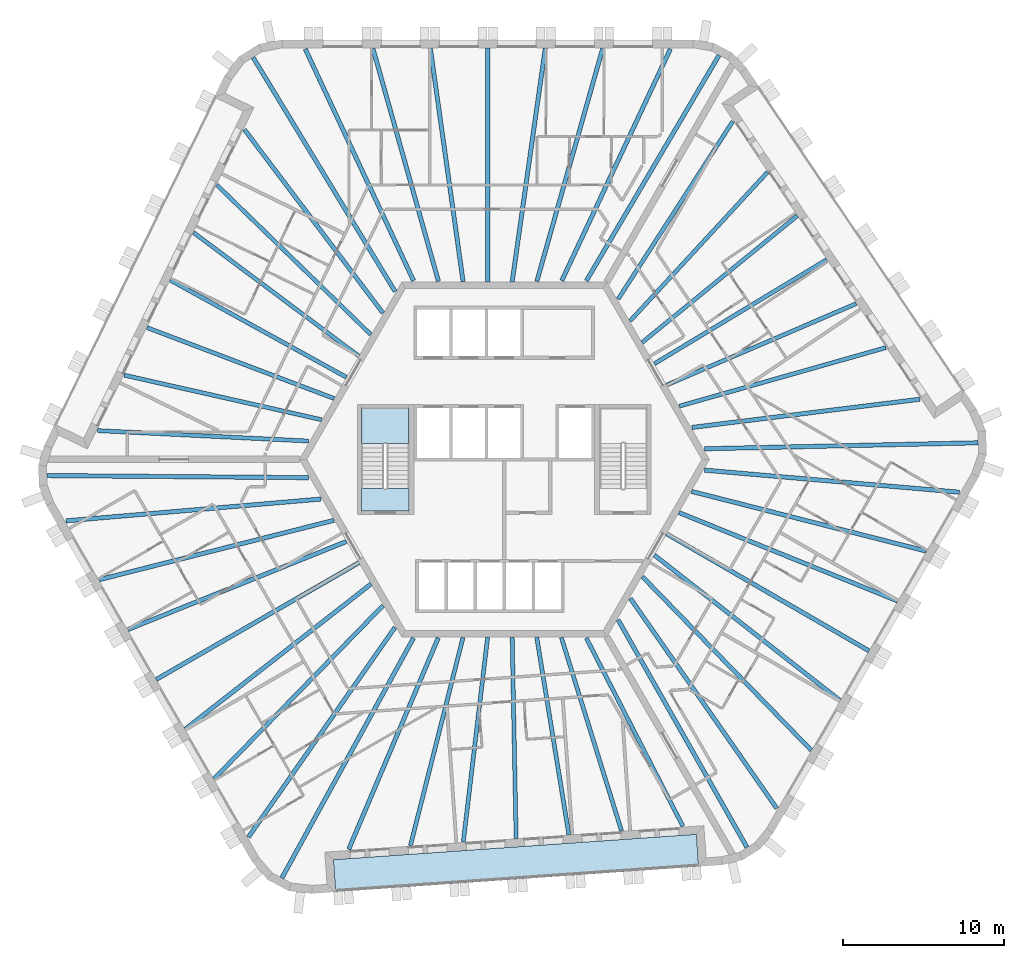
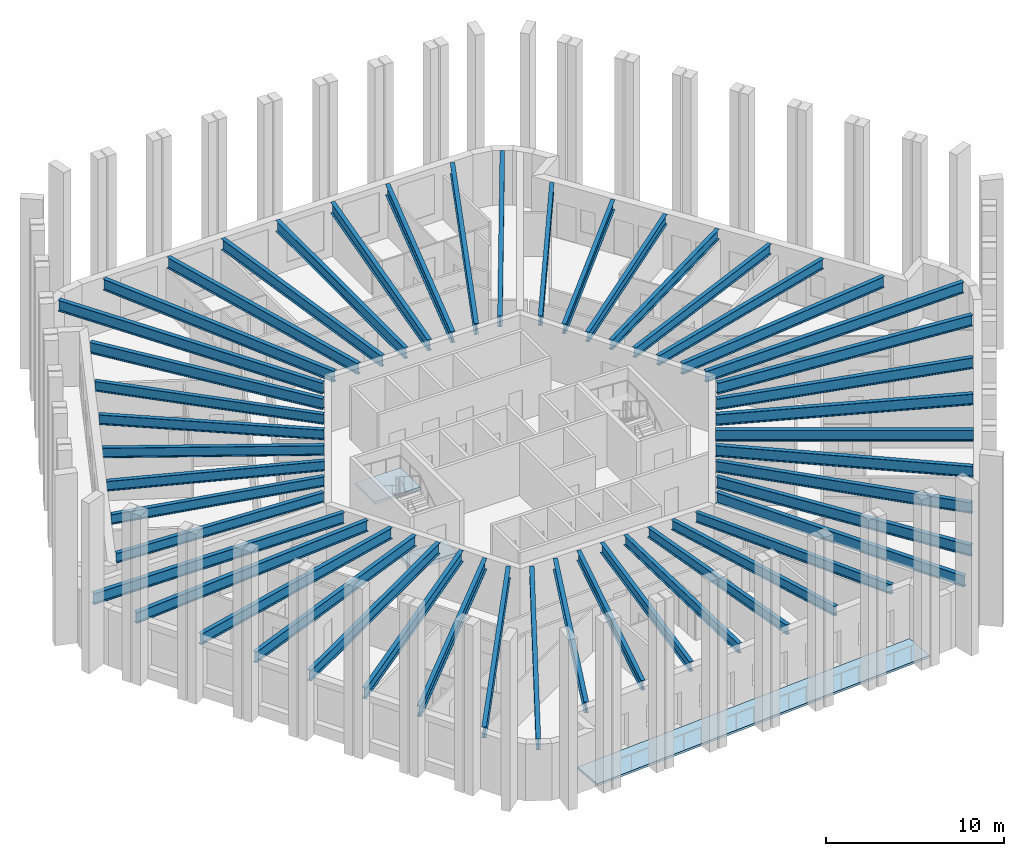
# One storey, part 1 of 13: 48 beams, 3 slabs, 1 element without a shape of its own.
"""IFC4 building model written with IfcOpenShell, lengths in metres."""

from ifc_helpers import new_model, si_unit, direction, frame, origin, origin_2d, place, context, subcontext, project, spatial, polyline, i_section, outline, extrude, material, layer, layer_set, material_profile, profile_set, type_object, element, aggregate, save


model = new_model("IFC4")

# Units and contexts
model_context = context("Model", 3, precision=1e-05, world=origin(), true_north=direction((0.0, 1.0)))
body_context = subcontext(model_context, "Body", "Model", "MODEL_VIEW")
ifc_project = project(units=[si_unit("LENGTHUNIT", "METRE"), si_unit("AREAUNIT", "SQUARE_METRE"), si_unit("VOLUMEUNIT", "CUBIC_METRE"), si_unit("PLANEANGLEUNIT", "RADIAN"), si_unit("MASSUNIT", "GRAM", prefix="KILO")], contexts=[model_context])

# Site, building, storey
site_placement = place(None, origin())
site = spatial("IfcSite", under=ifc_project, at=site_placement, CompositionType="ELEMENT")
building_placement = place(site_placement, origin())
building = spatial("IfcBuilding", under=site, at=building_placement, Name="Tarnside Tower", CompositionType="ELEMENT")
storey_placement = place(building_placement, frame((0.0, 0.0, 267.89990234375)))
storey = spatial("IfcBuildingStorey", under=building, at=storey_placement, Name="L64", CompositionType="ELEMENT", Elevation=267.89990234375)

# Beams
ifc_material_1 = material(Name="Steel S355", Category="steel")
ifc_material_profile_1 = material_profile(ifc_material_1, i_section(OverallWidth=0.2529296875, OverallDepth=0.677978515625, WebThickness=0.01171875, FlangeThickness=0.01611328125, FilletRadius=0.01513671875, at=origin_2d()), Name="UB 686x254x125")
ifc_profile_set_1 = profile_set([ifc_material_profile_1], Name="Steel S355")
beam_type_1 = type_object("IfcBeamType", Name="Floor beam UB 686x254x125", PredefinedType="BEAM", material=ifc_profile_set_1)
beam_1_placement = place(storey_placement, frame((-17.811279296875, 17.002197265625, 3.4111328125), z_axis=(0.717190986424, -0.696876666988, 0.0), x_axis=(0.696876666988, 0.717190986424, 0.0)))
element("IfcBeam", 1, at=beam_1_placement, inside=storey, type_object=beam_type_1, Name="Floor beam F2.02", PredefinedType="BEAM", context=body_context, shape_type="SweptSolid", body=[
    extrude(i_section(OverallWidth=0.2529296875, OverallDepth=0.677978515625, WebThickness=0.01171875, FlangeThickness=0.01611328125, FilletRadius=0.01513671875, at=origin_2d()), origin(), (0.0, 0.0, 1.0), 13.2919921875),
])
beam_2_placement = place(storey_placement, frame((-19.25, 14.0498046875, 3.4111328125), z_axis=(0.801006417676, -0.598655759883, 0.0), x_axis=(0.598655759883, 0.801006417676, 0.0)))
element("IfcBeam", 2, at=beam_2_placement, inside=storey, type_object=beam_type_1, Name="Floor beam F2.03", PredefinedType="BEAM", context=body_context, shape_type="SweptSolid", body=[
    extrude(i_section(OverallWidth=0.2529296875, OverallDepth=0.677978515625, WebThickness=0.01171875, FlangeThickness=0.01611328125, FilletRadius=0.01513671875, at=origin_2d()), origin(), (0.0, 0.0, 1.0), 12.764892578125),
])
beam_3_placement = place(storey_placement, frame((-20.70458984375, 11.111572265625, 3.4111328125), z_axis=(0.875666768762, -0.482915841619, 0.0), x_axis=(0.482915841619, 0.875666768762, 0.0)))
element("IfcBeam", 3, at=beam_3_placement, inside=storey, type_object=beam_type_1, Name="Floor beam F2.04", PredefinedType="BEAM", context=body_context, shape_type="SweptSolid", body=[
    extrude(i_section(OverallWidth=0.2529296875, OverallDepth=0.677978515625, WebThickness=0.01171875, FlangeThickness=0.01611328125, FilletRadius=0.01513671875, at=origin_2d()), origin(), (0.0, 0.0, 1.0), 12.468994140625),
])
beam_4_placement = place(storey_placement, frame((-22.141357421875, 8.165771484375, 3.4111328125), z_axis=(0.935116350489, -0.354340811998, 0.0), x_axis=(0.354340811998, 0.935116350489, 0.0)))
element("IfcBeam", 4, at=beam_4_placement, inside=storey, type_object=beam_type_1, Name="Floor beam F2.05", PredefinedType="BEAM", context=body_context, shape_type="SweptSolid", body=[
    extrude(i_section(OverallWidth=0.2529296875, OverallDepth=0.677978515625, WebThickness=0.01171875, FlangeThickness=0.01611328125, FilletRadius=0.01513671875, at=origin_2d()), origin(), (0.0, 0.0, 1.0), 12.399169921875),
])
beam_5_placement = place(storey_placement, frame((-23.556884765625, 5.2197265625, 3.4111328125), z_axis=(0.975445185376, -0.220242344534, 0.0), x_axis=(0.220242344534, 0.975445185376, 0.0)))
element("IfcBeam", 5, at=beam_5_placement, inside=storey, type_object=beam_type_1, Name="Floor beam F2.06", PredefinedType="BEAM", context=body_context, shape_type="SweptSolid", body=[
    extrude(i_section(OverallWidth=0.2529296875, OverallDepth=0.677978515625, WebThickness=0.01171875, FlangeThickness=0.01611328125, FilletRadius=0.01513671875, at=origin_2d()), origin(), (0.0, 0.0, 1.0), 12.538330078125),
])
beam_6_placement = place(storey_placement, frame((-25.214599609375, 1.7841796875, 3.4111328125), z_axis=(0.998783137237, -0.049317793651, 0.0), x_axis=(0.049317793651, 0.998783137237, 0.0)))
element("IfcBeam", 6, at=beam_6_placement, inside=storey, type_object=beam_type_1, Name="Floor beam F2.07", PredefinedType="BEAM", context=body_context, shape_type="SweptSolid", body=[
    extrude(i_section(OverallWidth=0.2529296875, OverallDepth=0.677978515625, WebThickness=0.01171875, FlangeThickness=0.01611328125, FilletRadius=0.01513671875, at=origin_2d()), origin(), (0.0, 0.0, 1.0), 13.103515625),
])
beam_7_placement = place(storey_placement, frame((-5.818603515625, -23.92626953125, 3.4111328125), z_axis=(0.244907502604, 0.969546448175, 0.0), x_axis=(-0.969546448175, 0.244907502604, 0.0)))
element("IfcBeam", 7, at=beam_7_placement, inside=storey, type_object=beam_type_1, Name="Floor beam F4.02", PredefinedType="BEAM", context=body_context, shape_type="SweptSolid", body=[
    extrude(i_section(OverallWidth=0.2529296875, OverallDepth=0.677978515625, WebThickness=0.01171875, FlangeThickness=0.01611328125, FilletRadius=0.01513671875, at=origin_2d()), origin(), (0.0, 0.0, 1.0), 13.292236328125),
])
beam_8_placement = place(storey_placement, frame((-2.54248046875, -23.69580078125, 3.4111328125), z_axis=(0.117949762105, 0.993019563563, 0.0), x_axis=(-0.993019563563, 0.117949762105, 0.0)))
element("IfcBeam", 8, at=beam_8_placement, inside=storey, type_object=beam_type_1, Name="Floor beam F4.03", PredefinedType="BEAM", context=body_context, shape_type="SweptSolid", body=[
    extrude(i_section(OverallWidth=0.2529296875, OverallDepth=0.677978515625, WebThickness=0.01171875, FlangeThickness=0.01611328125, FilletRadius=0.01513671875, at=origin_2d()), origin(), (0.0, 0.0, 1.0), 12.764892578125),
])
beam_9_placement = place(storey_placement, frame((0.7294921875, -23.486328125, 3.4111328125), z_axis=(-0.019619426101, 0.999807520536, 0.0), x_axis=(-0.999807520536, -0.019619426101, 0.0)))
element("IfcBeam", 9, at=beam_9_placement, inside=storey, type_object=beam_type_1, Name="Floor beam F4.04", PredefinedType="BEAM", context=body_context, shape_type="SweptSolid", body=[
    extrude(i_section(OverallWidth=0.2529296875, OverallDepth=0.677978515625, WebThickness=0.01171875, FlangeThickness=0.01611328125, FilletRadius=0.01513671875, at=origin_2d()), origin(), (0.0, 0.0, 1.0), 12.46875),
])
beam_10_placement = place(storey_placement, frame((3.9990234375, -23.2578125, 3.4111328125), z_axis=(-0.160690769029, 0.987004800773, 0.0), x_axis=(-0.987004800773, -0.160690769029, 0.0)))
element("IfcBeam", 10, at=beam_10_placement, inside=storey, type_object=beam_type_1, Name="Floor beam F4.05", PredefinedType="BEAM", context=body_context, shape_type="SweptSolid", body=[
    extrude(i_section(OverallWidth=0.2529296875, OverallDepth=0.677978515625, WebThickness=0.01171875, FlangeThickness=0.01611328125, FilletRadius=0.01513671875, at=origin_2d()), origin(), (0.0, 0.0, 1.0), 12.399169921875),
])
beam_11_placement = place(storey_placement, frame((7.258056640625, -23.0107421875, 3.4111328125), z_axis=(-0.296997512057, 0.954878252885, 0.0), x_axis=(-0.954878252885, -0.296997512057, 0.0)))
element("IfcBeam", 11, at=beam_11_placement, inside=storey, type_object=beam_type_1, Name="Floor beam F4.06", PredefinedType="BEAM", context=body_context, shape_type="SweptSolid", body=[
    extrude(i_section(OverallWidth=0.2529296875, OverallDepth=0.677978515625, WebThickness=0.01171875, FlangeThickness=0.01611328125, FilletRadius=0.01513671875, at=origin_2d()), origin(), (0.0, 0.0, 1.0), 12.538330078125),
])
beam_12_placement = place(storey_placement, frame((11.06201171875, -22.728515625, 3.4111328125), z_axis=(-0.456683143477, 0.889629420862, 0.0), x_axis=(-0.889629420862, -0.456683143477, 0.0)))
element("IfcBeam", 12, at=beam_12_placement, inside=storey, type_object=beam_type_1, Name="Floor beam F4.07", PredefinedType="BEAM", context=body_context, shape_type="SweptSolid", body=[
    extrude(i_section(OverallWidth=0.2529296875, OverallDepth=0.677978515625, WebThickness=0.01171875, FlangeThickness=0.01611328125, FilletRadius=0.01513671875, at=origin_2d()), origin(), (0.0, 0.0, 1.0), 13.103515625),
])
beam_13_placement = place(storey_placement, frame((23.6298828125, 6.924072265625, 3.4111328125), z_axis=(-0.962104001021, -0.272682766636, 0.0), x_axis=(0.272682766636, -0.962104001021, 0.0)))
element("IfcBeam", 13, at=beam_13_placement, inside=storey, type_object=beam_type_1, Name="Floor beam F6.02", PredefinedType="BEAM", context=body_context, shape_type="SweptSolid", body=[
    extrude(i_section(OverallWidth=0.2529296875, OverallDepth=0.677978515625, WebThickness=0.01171875, FlangeThickness=0.01611328125, FilletRadius=0.01513671875, at=origin_2d()), origin(), (0.0, 0.0, 1.0), 13.2919921875),
])
beam_14_placement = place(storey_placement, frame((21.792236328125, 9.64599609375, 3.4111328125), z_axis=(-0.918954980534, -0.394362452258, 0.0), x_axis=(0.394362452258, -0.918954980534, 0.0)))
element("IfcBeam", 14, at=beam_14_placement, inside=storey, type_object=beam_type_1, Name="Floor beam F6.03", PredefinedType="BEAM", context=body_context, shape_type="SweptSolid", body=[
    extrude(i_section(OverallWidth=0.2529296875, OverallDepth=0.677978515625, WebThickness=0.01171875, FlangeThickness=0.01611328125, FilletRadius=0.01513671875, at=origin_2d()), origin(), (0.0, 0.0, 1.0), 12.7646484375),
])
beam_15_placement = place(storey_placement, frame((19.97509765625, 12.375, 3.4111328125), z_axis=(-0.856046953876, -0.516898068055, 0.0), x_axis=(0.516898068055, -0.856046953876, 0.0)))
element("IfcBeam", 15, at=beam_15_placement, inside=storey, type_object=beam_type_1, Name="Floor beam F6.04", PredefinedType="BEAM", context=body_context, shape_type="SweptSolid", body=[
    extrude(i_section(OverallWidth=0.2529296875, OverallDepth=0.677978515625, WebThickness=0.01171875, FlangeThickness=0.01611328125, FilletRadius=0.01513671875, at=origin_2d()), origin(), (0.0, 0.0, 1.0), 12.46875),
])
beam_16_placement = place(storey_placement, frame((18.142333984375, 15.092041015625, 3.4111328125), z_axis=(-0.774438707576, -0.632648945473, 0.0), x_axis=(0.632648945473, -0.774438707576, 0.0)))
element("IfcBeam", 16, at=beam_16_placement, inside=storey, type_object=beam_type_1, Name="Floor beam F6.05", PredefinedType="BEAM", context=body_context, shape_type="SweptSolid", body=[
    extrude(i_section(OverallWidth=0.2529296875, OverallDepth=0.677978515625, WebThickness=0.01171875, FlangeThickness=0.01611328125, FilletRadius=0.01513671875, at=origin_2d()), origin(), (0.0, 0.0, 1.0), 12.39892578125),
])
beam_17_placement = place(storey_placement, frame((16.299072265625, 17.791015625, 3.4111328125), z_axis=(-0.67846123451, -0.734636204708, 0.0), x_axis=(0.734636204708, -0.67846123451, 0.0)))
element("IfcBeam", 17, at=beam_17_placement, inside=storey, type_object=beam_type_1, Name="Floor beam F6.06", PredefinedType="BEAM", context=body_context, shape_type="SweptSolid", body=[
    extrude(i_section(OverallWidth=0.2529296875, OverallDepth=0.677978515625, WebThickness=0.01171875, FlangeThickness=0.01611328125, FilletRadius=0.01513671875, at=origin_2d()), origin(), (0.0, 0.0, 1.0), 12.538330078125),
])
beam_18_placement = place(storey_placement, frame((14.152587890625, 20.9443359375, 3.4111328125), z_axis=(-0.54209970956, -0.840314170352, 0.0), x_axis=(0.840314170352, -0.54209970956, 0.0)))
element("IfcBeam", 18, at=beam_18_placement, inside=storey, type_object=beam_type_1, Name="Floor beam F6.07", PredefinedType="BEAM", context=body_context, shape_type="SweptSolid", body=[
    extrude(i_section(OverallWidth=0.2529296875, OverallDepth=0.677978515625, WebThickness=0.01171875, FlangeThickness=0.01611328125, FilletRadius=0.01513671875, at=origin_2d()), origin(), (0.0, 0.0, 1.0), 13.103759765625),
])
ifc_material_profile_2 = material_profile(ifc_material_1, i_section(OverallWidth=0.26513671875, OverallDepth=0.75390625, WebThickness=0.0126953125, FlangeThickness=0.017578125, FilletRadius=0.0166015625, at=origin_2d()), Name="UB 762x267x147")
ifc_profile_set_2 = profile_set([ifc_material_profile_2], Name="Steel S355")
beam_type_2 = type_object("IfcBeamType", Name="Floor beam UB 762x267x147", PredefinedType="BEAM", material=ifc_profile_set_2)
beam_19_placement = place(storey_placement, frame((6.093505859375, 25.46142578125, 3.373046875), z_axis=(-0.272147186115, -0.962255636039, 0.0), x_axis=(0.962255636039, -0.272147186115, 0.0)))
element("IfcBeam", 19, at=beam_19_placement, inside=storey, type_object=beam_type_2, Name="Floor beam F1.02", PredefinedType="BEAM", context=body_context, shape_type="SweptSolid", body=[
    extrude(i_section(OverallWidth=0.26513671875, OverallDepth=0.75390625, WebThickness=0.0126953125, FlangeThickness=0.017578125, FilletRadius=0.0166015625, at=origin_2d()), origin(), (0.0, 0.0, 1.0), 14.988525390625),
])
beam_20_placement = place(storey_placement, frame((2.537109375, 25.480224609375, 3.373046875), z_axis=(-0.140349428967, -0.990102034029, 0.0), x_axis=(0.990102034029, -0.140349428967, 0.0)))
element("IfcBeam", 20, at=beam_20_placement, inside=storey, type_object=beam_type_2, Name="Floor beam F1.03", PredefinedType="BEAM", context=body_context, shape_type="SweptSolid", body=[
    extrude(i_section(OverallWidth=0.26513671875, OverallDepth=0.75390625, WebThickness=0.0126953125, FlangeThickness=0.017578125, FilletRadius=0.0166015625, at=origin_2d()), origin(), (0.0, 0.0, 1.0), 14.60498046875),
])
beam_21_placement = place(storey_placement, frame((-1.02490234375, 25.5, 3.373046875), z_axis=(-0.000656653953, -0.999999784403, 0.0), x_axis=(0.999999784403, -0.000656653953, 0.0)))
element("IfcBeam", 21, at=beam_21_placement, inside=storey, type_object=beam_type_2, Name="Floor beam F1.04", PredefinedType="BEAM", context=body_context, shape_type="SweptSolid", body=[
    extrude(i_section(OverallWidth=0.26513671875, OverallDepth=0.75390625, WebThickness=0.0126953125, FlangeThickness=0.017578125, FilletRadius=0.0166015625, at=origin_2d()), origin(), (0.0, 0.0, 1.0), 14.5),
])
beam_22_placement = place(storey_placement, frame((-4.5869140625, 25.480224609375, 3.373046875), z_axis=(0.139070897001, -0.990282427193, 0.0), x_axis=(0.990282427193, 0.139070897001, 0.0)))
element("IfcBeam", 22, at=beam_22_placement, inside=storey, type_object=beam_type_2, Name="Floor beam F1.05", PredefinedType="BEAM", context=body_context, shape_type="SweptSolid", body=[
    extrude(i_section(OverallWidth=0.26513671875, OverallDepth=0.75390625, WebThickness=0.0126953125, FlangeThickness=0.017578125, FilletRadius=0.0166015625, at=origin_2d()), origin(), (0.0, 0.0, 1.0), 14.602294921875),
])
beam_23_placement = place(storey_placement, frame((-8.1435546875, 25.46142578125, 3.373046875), z_axis=(0.270985274434, -0.962583493023, 0.0), x_axis=(0.962583493023, 0.270985274434, 0.0)))
element("IfcBeam", 23, at=beam_23_placement, inside=storey, type_object=beam_type_2, Name="Floor beam F1.06", PredefinedType="BEAM", context=body_context, shape_type="SweptSolid", body=[
    extrude(i_section(OverallWidth=0.26513671875, OverallDepth=0.75390625, WebThickness=0.0126953125, FlangeThickness=0.017578125, FilletRadius=0.0166015625, at=origin_2d()), origin(), (0.0, 0.0, 1.0), 14.9833984375),
])
beam_24_placement = place(storey_placement, frame((-16.101318359375, 20.43212890625, 3.373046875), z_axis=(0.602566097863, -0.798068980543, 0.0), x_axis=(0.798068980543, 0.602566097863, 0.0)))
element("IfcBeam", 24, at=beam_24_placement, inside=storey, type_object=beam_type_2, Name="Floor beam F2.01", PredefinedType="BEAM", context=body_context, shape_type="SweptSolid", body=[
    extrude(i_section(OverallWidth=0.26513671875, OverallDepth=0.75390625, WebThickness=0.0126953125, FlangeThickness=0.017578125, FilletRadius=0.0166015625, at=origin_2d()), origin(), (0.0, 0.0, 1.0), 14.231201171875),
])
beam_25_placement = place(storey_placement, frame((-25.09716796875, -7.45361328125, 3.373046875), z_axis=(0.969413823687, 0.245431942592, 0.0), x_axis=(-0.245431942592, 0.969413823687, 0.0)))
element("IfcBeam", 25, at=beam_25_placement, inside=storey, type_object=beam_type_2, Name="Floor beam F3.02", PredefinedType="BEAM", context=body_context, shape_type="SweptSolid", body=[
    extrude(i_section(OverallWidth=0.26513671875, OverallDepth=0.75390625, WebThickness=0.0126953125, FlangeThickness=0.017578125, FilletRadius=0.0166015625, at=origin_2d()), origin(), (0.0, 0.0, 1.0), 14.98876953125),
])
beam_26_placement = place(storey_placement, frame((-23.3349609375, -10.54296875, 3.373046875), z_axis=(0.927625766949, 0.373510958998, 0.0), x_axis=(-0.373510958998, 0.927625766949, 0.0)))
element("IfcBeam", 26, at=beam_26_placement, inside=storey, type_object=beam_type_2, Name="Floor beam F3.03", PredefinedType="BEAM", context=body_context, shape_type="SweptSolid", body=[
    extrude(i_section(OverallWidth=0.26513671875, OverallDepth=0.75390625, WebThickness=0.0126953125, FlangeThickness=0.017578125, FilletRadius=0.0166015625, at=origin_2d()), origin(), (0.0, 0.0, 1.0), 14.60498046875),
])
beam_27_placement = place(storey_placement, frame((-21.5712890625, -13.6376953125, 3.373046875), z_axis=(0.866357363831, 0.499424587036, 0.0), x_axis=(-0.499424587036, 0.866357363831, 0.0)))
element("IfcBeam", 27, at=beam_27_placement, inside=storey, type_object=beam_type_2, Name="Floor beam F3.04", PredefinedType="BEAM", context=body_context, shape_type="SweptSolid", body=[
    extrude(i_section(OverallWidth=0.26513671875, OverallDepth=0.75390625, WebThickness=0.0126953125, FlangeThickness=0.017578125, FilletRadius=0.0166015625, at=origin_2d()), origin(), (0.0, 0.0, 1.0), 14.5),
])
beam_28_placement = place(storey_placement, frame((-19.77294921875, -16.71240234375, 3.373046875), z_axis=(0.788074813552, 0.615579473541, 0.0), x_axis=(-0.615579473541, 0.788074813552, 0.0)))
element("IfcBeam", 28, at=beam_28_placement, inside=storey, type_object=beam_type_2, Name="Floor beam F3.05", PredefinedType="BEAM", context=body_context, shape_type="SweptSolid", body=[
    extrude(i_section(OverallWidth=0.26513671875, OverallDepth=0.75390625, WebThickness=0.0126953125, FlangeThickness=0.017578125, FilletRadius=0.0166015625, at=origin_2d()), origin(), (0.0, 0.0, 1.0), 14.60205078125),
])
beam_29_placement = place(storey_placement, frame((-17.978515625, -19.783203125, 3.373046875), z_axis=(0.698129580508, 0.71597143017, 0.0), x_axis=(-0.71597143017, 0.698129580508, 0.0)))
element("IfcBeam", 29, at=beam_29_placement, inside=storey, type_object=beam_type_2, Name="Floor beam F3.06", PredefinedType="BEAM", context=body_context, shape_type="SweptSolid", body=[
    extrude(i_section(OverallWidth=0.26513671875, OverallDepth=0.75390625, WebThickness=0.0126953125, FlangeThickness=0.017578125, FilletRadius=0.0166015625, at=origin_2d()), origin(), (0.0, 0.0, 1.0), 14.983642578125),
])
beam_30_placement = place(storey_placement, frame((-9.64404296875, -24.160400390625, 3.373046875), z_axis=(0.389873911801, 0.920868249478, 0.0), x_axis=(-0.920868249478, 0.389873911801, 0.0)))
element("IfcBeam", 30, at=beam_30_placement, inside=storey, type_object=beam_type_2, Name="Floor beam F4.01", PredefinedType="BEAM", context=body_context, shape_type="SweptSolid", body=[
    extrude(i_section(OverallWidth=0.26513671875, OverallDepth=0.75390625, WebThickness=0.0126953125, FlangeThickness=0.017578125, FilletRadius=0.0166015625, at=origin_2d()), origin(), (0.0, 0.0, 1.0), 14.231201171875),
])
beam_31_placement = place(storey_placement, frame((19.00341796875, -18.008056640625, 3.373046875), z_axis=(-0.697249797022, 0.716828236437, 0.0), x_axis=(-0.716828236437, -0.697249797022, 0.0)))
element("IfcBeam", 31, at=beam_31_placement, inside=storey, type_object=beam_type_2, Name="Floor beam F5.02", PredefinedType="BEAM", context=body_context, shape_type="SweptSolid", body=[
    extrude(i_section(OverallWidth=0.26513671875, OverallDepth=0.75390625, WebThickness=0.0126953125, FlangeThickness=0.017578125, FilletRadius=0.0166015625, at=origin_2d()), origin(), (0.0, 0.0, 1.0), 14.98876953125),
])
beam_32_placement = place(storey_placement, frame((20.798095703125, -14.937255859375, 3.373046875), z_axis=(-0.787282014804, 0.616593082321, 0.0), x_axis=(-0.616593082321, -0.787282014804, 0.0)))
element("IfcBeam", 32, at=beam_32_placement, inside=storey, type_object=beam_type_2, Name="Floor beam F5.03", PredefinedType="BEAM", context=body_context, shape_type="SweptSolid", body=[
    extrude(i_section(OverallWidth=0.26513671875, OverallDepth=0.75390625, WebThickness=0.0126953125, FlangeThickness=0.017578125, FilletRadius=0.0166015625, at=origin_2d()), origin(), (0.0, 0.0, 1.0), 14.60498046875),
])
beam_33_placement = place(storey_placement, frame((22.59619140625, -11.8623046875, 3.373046875), z_axis=(-0.865697438889, 0.500567622106, 0.0), x_axis=(-0.500567622106, -0.865697438889, 0.0)))
element("IfcBeam", 33, at=beam_33_placement, inside=storey, type_object=beam_type_2, Name="Floor beam F5.04", PredefinedType="BEAM", context=body_context, shape_type="SweptSolid", body=[
    extrude(i_section(OverallWidth=0.26513671875, OverallDepth=0.75390625, WebThickness=0.0126953125, FlangeThickness=0.017578125, FilletRadius=0.0166015625, at=origin_2d()), origin(), (0.0, 0.0, 1.0), 14.500244140625),
])
beam_34_placement = place(storey_placement, frame((24.35986328125, -8.767578125, 3.373046875), z_axis=(-0.927145907531, 0.374700501933, 0.0), x_axis=(-0.374700501933, -0.927145907531, 0.0)))
element("IfcBeam", 34, at=beam_34_placement, inside=storey, type_object=beam_type_2, Name="Floor beam F5.05", PredefinedType="BEAM", context=body_context, shape_type="SweptSolid", body=[
    extrude(i_section(OverallWidth=0.26513671875, OverallDepth=0.75390625, WebThickness=0.0126953125, FlangeThickness=0.017578125, FilletRadius=0.0166015625, at=origin_2d()), origin(), (0.0, 0.0, 1.0), 14.60205078125),
])
beam_35_placement = place(storey_placement, frame((26.1220703125, -5.67822265625, 3.373046875), z_axis=(-0.969115089144, 0.246608888716, 0.0), x_axis=(-0.246608888716, -0.969115089144, 0.0)))
element("IfcBeam", 35, at=beam_35_placement, inside=storey, type_object=beam_type_2, Name="Floor beam F5.06", PredefinedType="BEAM", context=body_context, shape_type="SweptSolid", body=[
    extrude(i_section(OverallWidth=0.26513671875, OverallDepth=0.75390625, WebThickness=0.0126953125, FlangeThickness=0.017578125, FilletRadius=0.0166015625, at=origin_2d()), origin(), (0.0, 0.0, 1.0), 14.9833984375),
])
beam_36_placement = place(storey_placement, frame((25.745361328125, 3.72802734375, 3.373046875), z_axis=(-0.992433598491, -0.122782541866, 0.0), x_axis=(0.122782541866, -0.992433598491, 0.0)))
element("IfcBeam", 36, at=beam_36_placement, inside=storey, type_object=beam_type_2, Name="Floor beam F6.01", PredefinedType="BEAM", context=body_context, shape_type="SweptSolid", body=[
    extrude(i_section(OverallWidth=0.26513671875, OverallDepth=0.75390625, WebThickness=0.0126953125, FlangeThickness=0.017578125, FilletRadius=0.0166015625, at=origin_2d()), origin(), (0.0, 0.0, 1.0), 14.23095703125),
])
ifc_material_profile_3 = material_profile(ifc_material_1, i_section(OverallWidth=0.2666015625, OverallDepth=0.76220703125, WebThickness=0.014404296875, FlangeThickness=0.021484375, FilletRadius=0.0166015625, at=origin_2d()), Name="UB 762x267x173")
ifc_profile_set_3 = profile_set([ifc_material_profile_3], Name="Steel S355")
beam_type_3 = type_object("IfcBeamType", Name="Floor beam UB 762x267x173", PredefinedType="BEAM", material=ifc_profile_set_3)
beam_37_placement = place(storey_placement, frame((10.285400390625, 25.427490234375, 3.368896484375), z_axis=(-0.424439399801, -0.905456346765, 0.0), x_axis=(0.905456346765, -0.424439399801, 0.0)))
element("IfcBeam", 37, at=beam_37_placement, inside=storey, type_object=beam_type_3, Name="Floor beam F1.01", PredefinedType="BEAM", context=body_context, shape_type="SweptSolid", body=[
    extrude(i_section(OverallWidth=0.2666015625, OverallDepth=0.76220703125, WebThickness=0.014404296875, FlangeThickness=0.021484375, FilletRadius=0.0166015625, at=origin_2d()), origin(), (0.0, 0.0, 1.0), 15.853759765625),
])
beam_38_placement = place(storey_placement, frame((-12.335205078125, 25.427490234375, 3.368896484375), z_axis=(0.423453877267, -0.905917663934, 0.0), x_axis=(0.905917663934, 0.423453877267, 0.0)))
element("IfcBeam", 38, at=beam_38_placement, inside=storey, type_object=beam_type_3, Name="Floor beam F1.07", PredefinedType="BEAM", context=body_context, shape_type="SweptSolid", body=[
    extrude(i_section(OverallWidth=0.2666015625, OverallDepth=0.76220703125, WebThickness=0.014404296875, FlangeThickness=0.021484375, FilletRadius=0.0166015625, at=origin_2d()), origin(), (0.0, 0.0, 1.0), 15.845703125),
])
beam_39_placement = place(storey_placement, frame((-15.5703125, 24.91162109375, 3.368896484375), z_axis=(0.518716683755, -0.854946198304, 0.0), x_axis=(0.854946198304, 0.518716683755, 0.0)))
element("IfcBeam", 39, at=beam_39_placement, inside=storey, type_object=beam_type_3, Name="Floor beam C1", PredefinedType="BEAM", context=body_context, shape_type="SweptSolid", body=[
    extrude(i_section(OverallWidth=0.2666015625, OverallDepth=0.76220703125, WebThickness=0.014404296875, FlangeThickness=0.021484375, FilletRadius=0.0166015625, at=origin_2d()), origin(), (0.0, 0.0, 1.0), 16.961181640625),
])
beam_40_placement = place(storey_placement, frame((-28.3291015625, -1.0009765625, 3.368896484375), z_axis=(0.999966651082, -0.008166806173, 0.0), x_axis=(0.008166806173, 0.999966651082, 0.0)))
element("IfcBeam", 40, at=beam_40_placement, inside=storey, type_object=beam_type_3, Name="Floor beam C2", PredefinedType="BEAM", context=body_context, shape_type="SweptSolid", body=[
    extrude(i_section(OverallWidth=0.2666015625, OverallDepth=0.76220703125, WebThickness=0.014404296875, FlangeThickness=0.021484375, FilletRadius=0.0166015625, at=origin_2d()), origin(), (0.0, 0.0, 1.0), 16.20263671875),
])
beam_41_placement = place(storey_placement, frame((-27.16357421875, -3.806396484375, 3.368896484375), z_axis=(0.996367434748, 0.085158293626, 0.0), x_axis=(-0.085158293626, 0.996367434748, 0.0)))
element("IfcBeam", 41, at=beam_41_placement, inside=storey, type_object=beam_type_3, Name="Floor beam F3.01", PredefinedType="BEAM", context=body_context, shape_type="SweptSolid", body=[
    extrude(i_section(OverallWidth=0.2666015625, OverallDepth=0.76220703125, WebThickness=0.014404296875, FlangeThickness=0.021484375, FilletRadius=0.0166015625, at=origin_2d()), origin(), (0.0, 0.0, 1.0), 15.85400390625),
])
beam_42_placement = place(storey_placement, frame((-15.853271484375, -23.396484375, 3.368896484375), z_axis=(0.572816933654, 0.819683329414, 0.0), x_axis=(-0.819683329414, 0.572816933654, 0.0)))
element("IfcBeam", 42, at=beam_42_placement, inside=storey, type_object=beam_type_3, Name="Floor beam F3.07", PredefinedType="BEAM", context=body_context, shape_type="SweptSolid", body=[
    extrude(i_section(OverallWidth=0.2666015625, OverallDepth=0.76220703125, WebThickness=0.014404296875, FlangeThickness=0.021484375, FilletRadius=0.0166015625, at=origin_2d()), origin(), (0.0, 0.0, 1.0), 15.84619140625),
])
beam_43_placement = place(storey_placement, frame((-13.788818359375, -25.93994140625, 3.368896484375), z_axis=(0.481036073107, 0.876700802081, 0.0), x_axis=(-0.876700802081, 0.481036073107, 0.0)))
element("IfcBeam", 43, at=beam_43_placement, inside=storey, type_object=beam_type_3, Name="Floor beam C3", PredefinedType="BEAM", context=body_context, shape_type="SweptSolid", body=[
    extrude(i_section(OverallWidth=0.2666015625, OverallDepth=0.76220703125, WebThickness=0.014404296875, FlangeThickness=0.021484375, FilletRadius=0.0166015625, at=origin_2d()), origin(), (0.0, 0.0, 1.0), 16.961181640625),
])
beam_44_placement = place(storey_placement, frame((15.031494140625, -24.033447265625, 3.368896484375), z_axis=(-0.49290801997, 0.870081423689, 0.0), x_axis=(-0.870081423689, -0.49290801997, 0.0)))
element("IfcBeam", 44, at=beam_44_placement, inside=storey, type_object=beam_type_3, Name="Floor beam C4", PredefinedType="BEAM", context=body_context, shape_type="SweptSolid", body=[
    extrude(i_section(OverallWidth=0.2666015625, OverallDepth=0.76220703125, WebThickness=0.014404296875, FlangeThickness=0.021484375, FilletRadius=0.0166015625, at=origin_2d()), origin(), (0.0, 0.0, 1.0), 16.202880859375),
])
beam_45_placement = place(storey_placement, frame((16.87841796875, -21.62109375, 3.368896484375), z_axis=(-0.571946235641, 0.82029110902, 0.0), x_axis=(-0.82029110902, -0.571946235641, 0.0)))
element("IfcBeam", 45, at=beam_45_placement, inside=storey, type_object=beam_type_3, Name="Floor beam F5.01", PredefinedType="BEAM", context=body_context, shape_type="SweptSolid", body=[
    extrude(i_section(OverallWidth=0.2666015625, OverallDepth=0.76220703125, WebThickness=0.014404296875, FlangeThickness=0.021484375, FilletRadius=0.0166015625, at=origin_2d()), origin(), (0.0, 0.0, 1.0), 15.85400390625),
])
beam_46_placement = place(storey_placement, frame((28.1884765625, -2.03125, 3.368896484375), z_axis=(-0.996273584651, 0.086249316098, 0.0), x_axis=(-0.086249316098, -0.996273584651, 0.0)))
element("IfcBeam", 46, at=beam_46_placement, inside=storey, type_object=beam_type_3, Name="Floor beam F5.07", PredefinedType="BEAM", context=body_context, shape_type="SweptSolid", body=[
    extrude(i_section(OverallWidth=0.2666015625, OverallDepth=0.76220703125, WebThickness=0.014404296875, FlangeThickness=0.021484375, FilletRadius=0.0166015625, at=origin_2d()), origin(), (0.0, 0.0, 1.0), 15.845947265625),
])
beam_47_placement = place(storey_placement, frame((29.359130859375, 1.028564453125, 3.368896484375), z_axis=(-0.999763142455, -0.02176370807, 0.0), x_axis=(0.02176370807, -0.999763142455, 0.0)))
element("IfcBeam", 47, at=beam_47_placement, inside=storey, type_object=beam_type_3, Name="Floor beam C5", PredefinedType="BEAM", context=body_context, shape_type="SweptSolid", body=[
    extrude(i_section(OverallWidth=0.2666015625, OverallDepth=0.76220703125, WebThickness=0.014404296875, FlangeThickness=0.021484375, FilletRadius=0.0166015625, at=origin_2d()), origin(), (0.0, 0.0, 1.0), 16.961181640625),
])
beam_48_placement = place(storey_placement, frame((13.2978515625, 25.0341796875, 3.368896484375), z_axis=(-0.507080048325, -0.861898964259, 0.0), x_axis=(0.861898964259, -0.507080048325, 0.0)))
element("IfcBeam", 48, at=beam_48_placement, inside=storey, type_object=beam_type_3, Name="Floor beam C6", PredefinedType="BEAM", context=body_context, shape_type="SweptSolid", body=[
    extrude(i_section(OverallWidth=0.2666015625, OverallDepth=0.76220703125, WebThickness=0.014404296875, FlangeThickness=0.021484375, FilletRadius=0.0166015625, at=origin_2d()), origin(), (0.0, 0.0, 1.0), 16.20263671875),
])

# Slabs
ifc_material_2 = material(Name="Concrete C40/50", Category="concrete")
ifc_layer_1 = layer(ifc_material_2, 0.25)
ifc_layer_set_1 = layer_set([ifc_layer_1], Name="Core slab C40/50")
slab_type_1 = type_object("IfcSlabType", Name="Core slab C40/50", PredefinedType="FLOOR", material=ifc_layer_set_1)
slab_1_placement = place(storey_placement, frame((0.0, 0.0, -0.25)))
element("IfcSlab", 49, at=slab_1_placement, inside=storey, type_object=slab_type_1, Name="L64 core floor slab 2", PredefinedType="FLOOR", context=body_context, shape_type="SweptSolid", body=[
    extrude(outline(polyline([(-8.85009765625, -3.199951171875), (-8.85009765625, -1.800048828125), (-5.89990234375, -1.800048828125), (-5.89990234375, -3.199951171875), (-8.85009765625, -3.199951171875)])), origin(), (0.0, 0.0, 1.0), 0.25),
])
ifc_material_3 = material(Name="Timber decking", Category="wood")
ifc_layer_2 = layer(ifc_material_3, 0.0400390625)
ifc_material_4 = material(Name="Concrete C60/75 precast", Category="concrete")
ifc_layer_3 = layer(ifc_material_4, 0.110107421875)
ifc_layer_set_2 = layer_set([ifc_layer_2, ifc_layer_3], Name="Loggia deck 150")
slab_type_2 = type_object("IfcSlabType", Name="Loggia deck 150", PredefinedType="FLOOR", material=ifc_layer_set_2)
slab_2_placement = place(storey_placement, frame((0.0, 0.0, -0.14990234375)))
element("IfcSlab", 50, at=slab_2_placement, inside=storey, type_object=slab_type_2, Name="Loggia deck L64 F4", PredefinedType="FLOOR", context=body_context, shape_type="SweptSolid", body=[
    extrude(outline(polyline([(-10.593017578125, -24.79931640625), (11.896728515625, -23.226806640625), (12.036376953125, -25.221923828125), (-10.45361328125, -26.79443359375), (-10.593017578125, -24.79931640625)])), origin(), (0.0, 0.0, 1.0), 0.14990234375),
])

# Stair, slab
stair_type = type_object("IfcStairType", Name="Exit stair 1400 clear", PredefinedType="HALF_TURN_STAIR", material=ifc_material_2)
stair_placement = place(storey_placement, origin())
stair = element("IfcStair", 51, at=stair_placement, inside=storey, type_object=stair_type, Name="L64 Exit stair 2", PredefinedType="HALF_TURN_STAIR")
ifc_layer_4 = layer(ifc_material_2, 0.199951171875)
ifc_layer_set_3 = layer_set([ifc_layer_4], Name="Stair landing 200 C40/50")
slab_type_3 = type_object("IfcSlabType", Name="Stair landing 200 C40/50", PredefinedType="LANDING", material=ifc_layer_set_3)
slab_3_placement = place(storey_placement, frame((0.0, 0.0, 1.75)))
slab_3 = element("IfcSlab", 52, at=slab_3_placement, type_object=slab_type_3, Name="ST2 landing 1", PredefinedType="LANDING", context=body_context, shape_type="SweptSolid", body=[
    extrude(outline(polyline([(-5.89990234375, 1.0), (-5.89990234375, 3.199951171875), (-8.85009765625, 3.199951171875), (-8.85009765625, 1.0), (-5.89990234375, 1.0)])), origin(), (0.0, 0.0, 1.0), 0.2001953125),
])
aggregate(stair, [slab_3])

save(model, "model.ifc")
